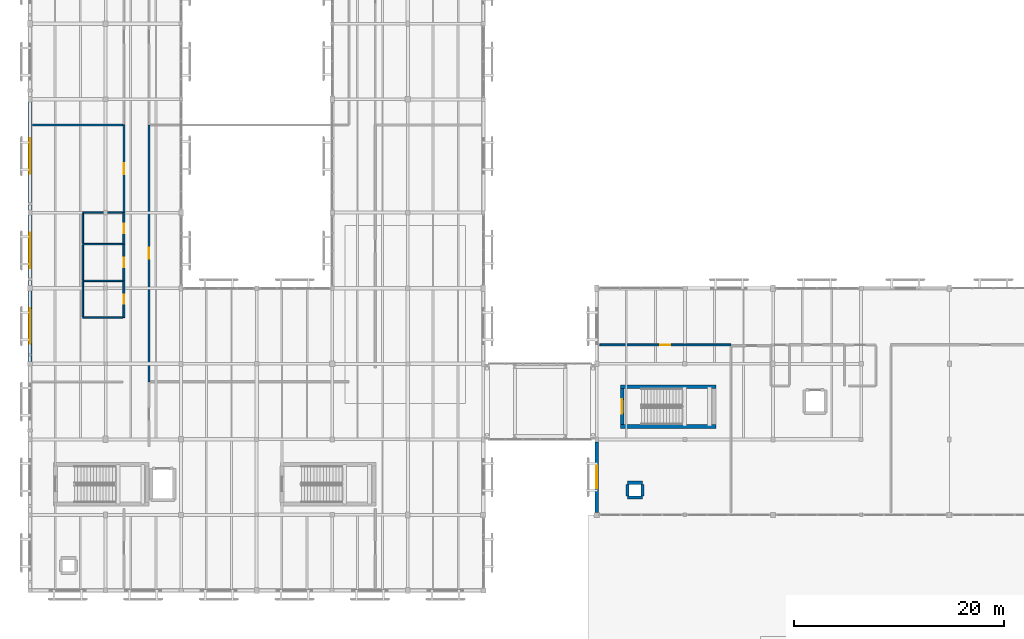
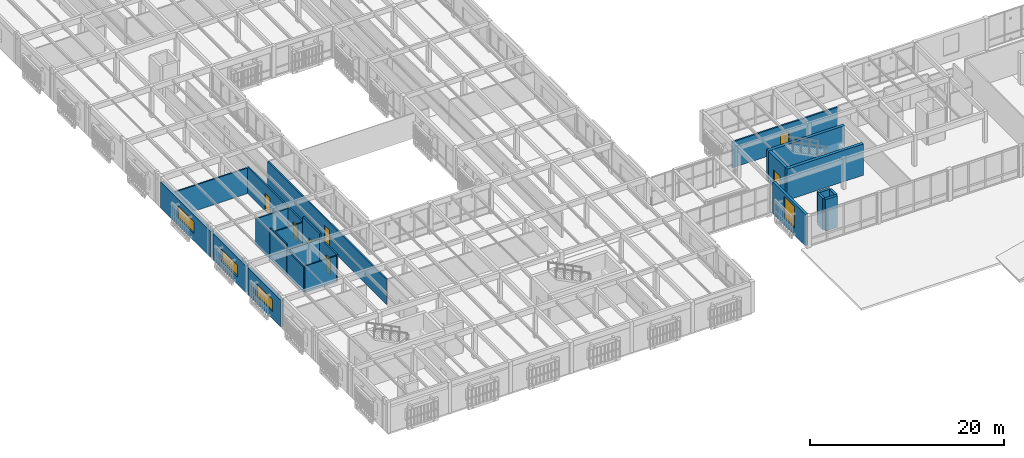
# One storey, part 176 of 217: 25 walls, 7 doors, 4 windows, 11 openings.
"""IFC4 building model written with IfcOpenShell, lengths in metres."""

from ifc_helpers import new_model, si_unit, direction, frame, frame_2d, origin, place, context, subcontext, project, spatial, rectangle, extrude, material, layer, layer_set, type_object, element, fill, save


model = new_model("IFC4")

# Units and contexts
model_context = context("Model", 3, precision=1e-05, world=origin(), true_north=direction((0.0, 1.0)))
body_context = subcontext(model_context, "Body", "Model", "MODEL_VIEW")
ifc_project = project(units=[si_unit("LENGTHUNIT", "METRE"), si_unit("AREAUNIT", "SQUARE_METRE"), si_unit("VOLUMEUNIT", "CUBIC_METRE"), si_unit("PLANEANGLEUNIT", "RADIAN"), si_unit("MASSUNIT", "GRAM", prefix="KILO")], contexts=[model_context])

# Site, building, storey
site_placement = place(None, origin())
site = spatial("IfcSite", under=ifc_project, at=site_placement, CompositionType="ELEMENT")
building_placement = place(site_placement, origin())
building = spatial("IfcBuilding", under=site, at=building_placement, Name="Mazaris Harbour Polytechnic", CompositionType="ELEMENT")
storey_placement = place(building_placement, frame((0.0, 0.0, 9.60009765625)))
storey = spatial("IfcBuildingStorey", under=building, at=storey_placement, Name="L02", CompositionType="ELEMENT", Elevation=9.60009765625)

# Wall, opening, door
ifc_material_1 = material(Name="Terracotta Block and Plaster", Category="masonry")
ifc_layer_1 = layer(ifc_material_1, 0.179931640625, Name="Terracotta Block and Plaster")
ifc_layer_set_1 = layer_set([ifc_layer_1], Name="Terracotta Block and Plaster")
wall_type_1 = type_object("IfcWallType", Name="Corridor Fire Partition 180", PredefinedType="PARTITIONING", material=ifc_layer_set_1)
wall_1_placement = place(storey_placement, frame((54.300048828125, 30.60009765625, 0.0), z_axis=(0.0, 0.0, 1.0), x_axis=(1.0, 0.0, 0.0)))
wall_1 = element("IfcWall", 1, at=wall_1_placement, inside=storey, type_object=wall_type_1, Name="V3 L02 Partition 226", PredefinedType="PARTITIONING", context=body_context, shape_type="SweptSolid", body=[
    extrude(rectangle(XDim=12.489013671875, YDim=0.179931640625, at=frame_2d((6.24462890625, 0.0))), origin(), (0.0, 0.0, 1.0), 3.2548828125),
])
opening_1_placement = place(wall_1_placement, frame((5.764404296875, 0.0, 0.0)))
opening_1 = element("IfcOpeningElement", 2, at=opening_1_placement, cuts=wall_1, Name="Opening ID-01R", PredefinedType="OPENING", context=body_context, shape_type="SweptSolid", body=[
    extrude(rectangle(XDim=0.9599609375, YDim=2.14990234375, at=frame_2d((0.47998046875, 1.074951171875))), frame((0.0, 0.099853515625, 0.0), z_axis=(0.0, -1.0, 0.0), x_axis=(1.0, 0.0, 0.0)), (0.0, 0.0, 1.0), 0.199951171875),
])
ifc_material_2 = material(Name="Solid Oak Timber", Category="wood")
door_type_1 = type_object("IfcDoorType", Name="Classroom Single Door RH 960x2150", OperationType="SINGLE_SWING_RIGHT", PredefinedType="DOOR", material=ifc_material_2)
door_1_placement = place(opening_1_placement, origin())
door_1 = element("IfcDoor", 3, at=door_1_placement, inside=storey, type_object=door_type_1, Name="ID-0103", OperationType="SINGLE_SWING_RIGHT", OverallHeight=2.14990234375, OverallWidth=0.9599609375, PredefinedType="DOOR", context=body_context, shape_type="SweptSolid", body=[
    extrude(rectangle(XDim=0.9599609375, YDim=2.14990234375, at=frame_2d((0.47998046875, 1.074951171875))), frame((0.0, 0.02490234375, 0.0), z_axis=(0.0, -1.0, 0.0), x_axis=(1.0, 0.0, 0.0)), (0.0, 0.0, 1.0), 0.050048828125),
])
fill(opening_1, door_1)

ifc_material_3 = material(Name="Fireboard and Mineral Wool")
ifc_layer_2 = layer(ifc_material_3, 0.1650390625, Name="Fireboard and Mineral Wool")
ifc_layer_set_2 = layer_set([ifc_layer_2], Name="Fireboard and Mineral Wool")
wall_type_2 = type_object("IfcWallType", Name="Laboratory Rated Partition 165", PredefinedType="PARTITIONING", material=ifc_layer_set_2)
wall_2_placement = place(storey_placement, frame((8.949951171875, 43.205078125, 0.0), z_axis=(0.0, 0.0, 1.0), x_axis=(0.0, 1.0, 0.0)))
wall_2 = element("IfcWall", 4, at=wall_2_placement, inside=storey, type_object=wall_type_2, Name="V4 L02 Partition 381", PredefinedType="PARTITIONING", context=body_context, shape_type="SweptSolid", body=[
    extrude(rectangle(XDim=8.347900390625, YDim=0.1650390625, at=frame_2d((4.173828125, 0.0))), origin(), (0.0, 0.0, 1.0), 3.309814453125),
])
opening_2_placement = place(wall_2_placement, frame((3.64892578125, 0.0, 0.0)))
opening_2 = element("IfcOpeningElement", 5, at=opening_2_placement, cuts=wall_2, Name="Opening ID-02L", PredefinedType="OPENING", context=body_context, shape_type="SweptSolid", body=[
    extrude(rectangle(XDim=1.050048828125, YDim=2.199951171875, at=frame_2d((0.52490234375, 1.10009765625))), frame((0.0, 0.092529296875, 0.0), z_axis=(0.0, -1.0, 0.0), x_axis=(1.0, 0.0, 0.0)), (0.0, 0.0, 1.0), 0.18505859375),
])
ifc_material_4 = material(Name="Solid Timber and Vision Panel", Category="wood")
door_type_2 = type_object("IfcDoorType", Name="Laboratory Fire Door LH 1050x2200", OperationType="SINGLE_SWING_LEFT", PredefinedType="DOOR", material=ifc_material_4)
door_2_placement = place(opening_2_placement, origin())
door_2 = element("IfcDoor", 6, at=door_2_placement, inside=storey, type_object=door_type_2, Name="ID-0178", OperationType="SINGLE_SWING_LEFT", OverallHeight=2.199951171875, OverallWidth=1.050048828125, PredefinedType="DOOR", context=body_context, shape_type="SweptSolid", body=[
    extrude(rectangle(XDim=1.050048828125, YDim=2.199951171875, at=frame_2d((0.52490234375, 1.10009765625))), frame((0.0, 0.02490234375, 0.0), z_axis=(0.0, -1.0, 0.0), x_axis=(1.0, 0.0, 0.0)), (0.0, 0.0, 1.0), 0.050048828125),
])
fill(opening_2, door_2)

# Wall
wall_3_placement = place(storey_placement, frame((0.25, 51.552978515625, 0.0), z_axis=(0.0, 0.0, 1.0), x_axis=(1.0, 0.0, 0.0)))
element("IfcWall", 7, at=wall_3_placement, inside=storey, type_object=wall_type_2, Name="V4 L02 Partition 382", PredefinedType="PARTITIONING", context=body_context, shape_type="SweptSolid", body=[
    extrude(rectangle(XDim=8.580078125, YDim=0.1650390625, at=frame_2d((4.2900390625, 0.0))), origin(), (0.0, 0.0, 1.0), 3.2099609375),
])

# Wall, opening, door
wall_4_placement = place(storey_placement, frame((11.35009765625, 27.083984375, 0.0), z_axis=(0.0, 0.0, 1.0), x_axis=(0.0, 1.0, 0.0)))
wall_4 = element("IfcWall", 8, at=wall_4_placement, inside=storey, type_object=wall_type_2, Name="V4 L02 Partition 388", PredefinedType="PARTITIONING", context=body_context, shape_type="SweptSolid", body=[
    extrude(rectangle(XDim=24.468994140625, YDim=0.1650390625, at=frame_2d((12.234375, 0.0))), origin(), (0.0, 0.0, 1.0), 3.14990234375),
])
opening_3_placement = place(wall_4_placement, frame((11.70947265625, 0.0, 0.0)))
opening_3 = element("IfcOpeningElement", 9, at=opening_3_placement, cuts=wall_4, Name="Opening ID-02L", PredefinedType="OPENING", context=body_context, shape_type="SweptSolid", body=[
    extrude(rectangle(XDim=1.050048828125, YDim=2.199951171875, at=frame_2d((0.52490234375, 1.10009765625))), frame((0.0, 0.092529296875, 0.0), z_axis=(0.0, -1.0, 0.0), x_axis=(1.0, 0.0, 0.0)), (0.0, 0.0, 1.0), 0.18505859375),
])
door_3_placement = place(opening_3_placement, origin())
door_3 = element("IfcDoor", 10, at=door_3_placement, inside=storey, type_object=door_type_2, Name="ID-0182", OperationType="SINGLE_SWING_LEFT", OverallHeight=2.199951171875, OverallWidth=1.050048828125, PredefinedType="DOOR", context=body_context, shape_type="SweptSolid", body=[
    extrude(rectangle(XDim=1.050048828125, YDim=2.199951171875, at=frame_2d((0.52490234375, 1.10009765625))), frame((0.0, 0.02490234375, 0.0), z_axis=(0.0, -1.0, 0.0), x_axis=(1.0, 0.0, 0.0)), (0.0, 0.0, 1.0), 0.050048828125),
])
fill(opening_3, door_3)

ifc_material_5 = material(Name="Moisture-Resistant Blockwork", Category="masonry")
ifc_layer_3 = layer(ifc_material_5, 0.175048828125, Name="Moisture-Resistant Blockwork")
ifc_layer_set_3 = layer_set([ifc_layer_3], Name="Moisture-Resistant Blockwork")
wall_type_3 = type_object("IfcWallType", Name="Laboratory Wet Service Wall 175", PredefinedType="PLUMBINGWALL", material=ifc_layer_set_3)
wall_5_placement = place(storey_placement, frame((8.949951171875, 33.199951171875, 0.0), z_axis=(0.0, 0.0, 1.0), x_axis=(0.0, 1.0, 0.0)))
wall_5 = element("IfcWall", 11, at=wall_5_placement, inside=storey, type_object=wall_type_3, Name="V4 L02 Partition 369", PredefinedType="PLUMBINGWALL", context=body_context, shape_type="SweptSolid", body=[
    extrude(rectangle(XDim=3.5, YDim=0.175048828125, at=frame_2d((1.75, 0.0))), origin(), (0.0, 0.0, 1.0), 3.369873046875),
])
opening_4_placement = place(wall_5_placement, frame((1.300048828125, 0.0, 0.0)))
opening_4 = element("IfcOpeningElement", 12, at=opening_4_placement, cuts=wall_5, Name="Opening ID-07R", PredefinedType="OPENING", context=body_context, shape_type="SweptSolid", body=[
    extrude(rectangle(XDim=0.89990234375, YDim=2.10009765625, at=frame_2d((0.449951171875, 1.050048828125))), frame((0.0, 0.097412109375, 0.0), z_axis=(0.0, -1.0, 0.0), x_axis=(1.0, 0.0, 0.0)), (0.0, 0.0, 1.0), 0.195068359375),
])
ifc_material_6 = material(Name="Moisture-Resistant Laminate Timber", Category="wood")
door_type_3 = type_object("IfcDoorType", Name="Sanitary Room Door RH 900x2100", OperationType="SINGLE_SWING_RIGHT", PredefinedType="DOOR", material=ifc_material_6)
door_4_placement = place(opening_4_placement, origin())
door_4 = element("IfcDoor", 13, at=door_4_placement, inside=storey, type_object=door_type_3, Name="ID-0174", OperationType="SINGLE_SWING_RIGHT", OverallHeight=2.10009765625, OverallWidth=0.89990234375, PredefinedType="DOOR", context=body_context, shape_type="SweptSolid", body=[
    extrude(rectangle(XDim=0.89990234375, YDim=2.10009765625, at=frame_2d((0.449951171875, 1.050048828125))), frame((0.0, 0.02490234375, 0.0), z_axis=(0.0, -1.0, 0.0), x_axis=(1.0, 0.0, 0.0)), (0.0, 0.0, 1.0), 0.050048828125),
])
fill(opening_4, door_4)

wall_6_placement = place(storey_placement, frame((8.949951171875, 36.705078125, 0.0), z_axis=(0.0, 0.0, 1.0), x_axis=(0.0, 1.0, 0.0)))
wall_6 = element("IfcWall", 14, at=wall_6_placement, inside=storey, type_object=wall_type_3, Name="V4 L02 Partition 373", PredefinedType="PLUMBINGWALL", context=body_context, shape_type="SweptSolid", body=[
    extrude(rectangle(XDim=3.494873046875, YDim=0.175048828125, at=frame_2d((1.74755859375, 0.0))), origin(), (0.0, 0.0, 1.0), 3.889892578125),
])
opening_5_placement = place(wall_6_placement, frame((1.297607421875, 0.0, 0.0)))
opening_5 = element("IfcOpeningElement", 15, at=opening_5_placement, cuts=wall_6, Name="Opening ID-07R", PredefinedType="OPENING", context=body_context, shape_type="SweptSolid", body=[
    extrude(rectangle(XDim=0.89990234375, YDim=2.10009765625, at=frame_2d((0.449951171875, 1.050048828125))), frame((0.0, 0.097412109375, 0.0), z_axis=(0.0, -1.0, 0.0), x_axis=(1.0, 0.0, 0.0)), (0.0, 0.0, 1.0), 0.195068359375),
])
door_5_placement = place(opening_5_placement, origin())
door_5 = element("IfcDoor", 16, at=door_5_placement, inside=storey, type_object=door_type_3, Name="ID-0175", OperationType="SINGLE_SWING_RIGHT", OverallHeight=2.10009765625, OverallWidth=0.89990234375, PredefinedType="DOOR", context=body_context, shape_type="SweptSolid", body=[
    extrude(rectangle(XDim=0.89990234375, YDim=2.10009765625, at=frame_2d((0.449951171875, 1.050048828125))), frame((0.0, 0.02490234375, 0.0), z_axis=(0.0, -1.0, 0.0), x_axis=(1.0, 0.0, 0.0)), (0.0, 0.0, 1.0), 0.050048828125),
])
fill(opening_5, door_5)

wall_7_placement = place(storey_placement, frame((8.949951171875, 40.205078125, 0.0), z_axis=(0.0, 0.0, 1.0), x_axis=(0.0, 1.0, 0.0)))
wall_7 = element("IfcWall", 17, at=wall_7_placement, inside=storey, type_object=wall_type_3, Name="V4 L02 Partition 376", PredefinedType="PLUMBINGWALL", context=body_context, shape_type="SweptSolid", body=[
    extrude(rectangle(XDim=2.994873046875, YDim=0.175048828125, at=frame_2d((1.49755859375, 0.0))), origin(), (0.0, 0.0, 1.0), 3.309814453125),
])
opening_6_placement = place(wall_7_placement, frame((1.03759765625, 0.0, 0.0)))
opening_6 = element("IfcOpeningElement", 18, at=opening_6_placement, cuts=wall_7, Name="Opening ID-07L", PredefinedType="OPENING", context=body_context, shape_type="SweptSolid", body=[
    extrude(rectangle(XDim=0.919921875, YDim=2.10009765625, at=frame_2d((0.4599609375, 1.050048828125))), frame((0.0, 0.097412109375, 0.0), z_axis=(0.0, -1.0, 0.0), x_axis=(1.0, 0.0, 0.0)), (0.0, 0.0, 1.0), 0.195068359375),
])
ifc_material_7 = material(Name="Moisture-Resistant Laminate Timber", Category="wood")
door_type_4 = type_object("IfcDoorType", Name="Accessible Toilet Door LH 920x2100", OperationType="SINGLE_SWING_LEFT", PredefinedType="DOOR", material=ifc_material_7)
door_6_placement = place(opening_6_placement, origin())
door_6 = element("IfcDoor", 19, at=door_6_placement, inside=storey, type_object=door_type_4, Name="ID-0176", OperationType="SINGLE_SWING_LEFT", OverallHeight=2.10009765625, OverallWidth=0.919921875, PredefinedType="DOOR", context=body_context, shape_type="SweptSolid", body=[
    extrude(rectangle(XDim=0.919921875, YDim=2.10009765625, at=frame_2d((0.4599609375, 1.050048828125))), frame((0.0, 0.02490234375, 0.0), z_axis=(0.0, -1.0, 0.0), x_axis=(1.0, 0.0, 0.0)), (0.0, 0.0, 1.0), 0.050048828125),
])
fill(opening_6, door_6)

# Wall, opening, window
ifc_material_8 = material(Name="Algerian Buff Limestone and Concrete C30/37", Category="masonry")
ifc_layer_4 = layer(ifc_material_8, 0.360107421875, Name="Algerian Buff Limestone and Concrete C30/37")
ifc_layer_set_4 = layer_set([ifc_layer_4], Name="Algerian Buff Limestone and Concrete C30/37")
wall_type_4 = type_object("IfcWallType", Name="Limestone Ashlar Exterior Wall 360", PredefinedType="STANDARD", material=ifc_layer_set_4)
wall_8_placement = place(storey_placement, frame((0.0, 29.02197265625, 0.0), z_axis=(0.0, 0.0, 1.0), x_axis=(0.0, 1.0, 0.0)))
wall_8 = element("IfcWall", 20, at=wall_8_placement, inside=storey, type_object=wall_type_4, Name="V4 L02 Exterior Wall 202", PredefinedType="STANDARD", context=body_context, shape_type="SweptSolid", body=[
    extrude(rectangle(XDim=6.736083984375, YDim=0.360107421875, at=frame_2d((3.3681640625, 0.0))), origin(), (0.0, 0.0, 1.0), 3.369873046875),
])
opening_7_placement = place(wall_8_placement, frame((1.66796875, 0.0, 0.89990234375)))
opening_7 = element("IfcOpeningElement", 21, at=opening_7_placement, cuts=wall_8, Name="Opening WN-16", PredefinedType="OPENING", context=body_context, shape_type="SweptSolid", body=[
    extrude(rectangle(XDim=3.39990234375, YDim=1.5, at=frame_2d((1.699951171875, 0.75))), frame((0.0, 0.18994140625, 0.0), z_axis=(0.0, -1.0, 0.0), x_axis=(1.0, 0.0, 0.0)), (0.0, 0.0, 1.0), 0.380126953125),
])
ifc_material_9 = material(Name="Thermally Broken Bronze Aluminium and Low-E Glass", Category="aluminium")
window_type_1 = type_object("IfcWindowType", Name="Workshop Clerestory Ribbon 3400x1500", PartitioningType="DOUBLE_PANEL_VERTICAL", PredefinedType="WINDOW", material=ifc_material_9)
window_1_placement = place(opening_7_placement, origin())
window_1 = element("IfcWindow", 22, at=window_1_placement, inside=storey, type_object=window_type_1, Name="WN-0204", OverallHeight=1.5, OverallWidth=3.39990234375, PartitioningType="DOUBLE_PANEL_VERTICAL", PredefinedType="WINDOW", context=body_context, shape_type="SweptSolid", body=[
    extrude(rectangle(XDim=3.39990234375, YDim=1.5, at=frame_2d((1.699951171875, 0.75))), frame((0.0, 0.030029296875, 0.0), z_axis=(0.0, -1.0, 0.0), x_axis=(1.0, 0.0, 0.0)), (0.0, 0.0, 1.0), 0.06005859375),
])
fill(opening_7, window_1)

wall_9_placement = place(storey_placement, frame((0.0, 36.241943359375, 0.0), z_axis=(0.0, 0.0, 1.0), x_axis=(0.0, 1.0, 0.0)))
wall_9 = element("IfcWall", 23, at=wall_9_placement, inside=storey, type_object=wall_type_4, Name="V4 L02 Exterior Wall 203", PredefinedType="STANDARD", context=body_context, shape_type="SweptSolid", body=[
    extrude(rectangle(XDim=6.72607421875, YDim=0.360107421875, at=frame_2d((3.363037109375, 0.0))), origin(), (0.0, 0.0, 1.0), 3.309814453125),
])
opening_8_placement = place(wall_9_placement, frame((1.6630859375, 0.0, 0.89990234375)))
opening_8 = element("IfcOpeningElement", 24, at=opening_8_placement, cuts=wall_9, Name="Opening WN-16", PredefinedType="OPENING", context=body_context, shape_type="SweptSolid", body=[
    extrude(rectangle(XDim=3.39990234375, YDim=1.5, at=frame_2d((1.699951171875, 0.75))), frame((0.0, 0.18994140625, 0.0), z_axis=(0.0, -1.0, 0.0), x_axis=(1.0, 0.0, 0.0)), (0.0, 0.0, 1.0), 0.380126953125),
])
window_2_placement = place(opening_8_placement, origin())
window_2 = element("IfcWindow", 25, at=window_2_placement, inside=storey, type_object=window_type_1, Name="WN-0205", OverallHeight=1.5, OverallWidth=3.39990234375, PartitioningType="DOUBLE_PANEL_VERTICAL", PredefinedType="WINDOW", context=body_context, shape_type="SweptSolid", body=[
    extrude(rectangle(XDim=3.39990234375, YDim=1.5, at=frame_2d((1.699951171875, 0.75))), frame((0.0, 0.030029296875, 0.0), z_axis=(0.0, -1.0, 0.0), x_axis=(1.0, 0.0, 0.0)), (0.0, 0.0, 1.0), 0.06005859375),
])
fill(opening_8, window_2)

wall_10_placement = place(storey_placement, frame((0.0, 43.431884765625, 0.0), z_axis=(0.0, 0.0, 1.0), x_axis=(0.0, 1.0, 0.0)))
wall_10 = element("IfcWall", 26, at=wall_10_placement, inside=storey, type_object=wall_type_4, Name="V4 L02 Exterior Wall 204", PredefinedType="STANDARD", context=body_context, shape_type="SweptSolid", body=[
    extrude(rectangle(XDim=10.30615234375, YDim=0.360107421875, at=frame_2d((5.153076171875, 0.0))), origin(), (0.0, 0.0, 1.0), 3.25),
])
opening_9_placement = place(wall_10_placement, frame((3.452880859375, 0.0, 0.89990234375)))
opening_9 = element("IfcOpeningElement", 27, at=opening_9_placement, cuts=wall_10, Name="Opening WN-16", PredefinedType="OPENING", context=body_context, shape_type="SweptSolid", body=[
    extrude(rectangle(XDim=3.39990234375, YDim=1.5, at=frame_2d((1.699951171875, 0.75))), frame((0.0, 0.18994140625, 0.0), z_axis=(0.0, -1.0, 0.0), x_axis=(1.0, 0.0, 0.0)), (0.0, 0.0, 1.0), 0.380126953125),
])
window_3_placement = place(opening_9_placement, origin())
window_3 = element("IfcWindow", 28, at=window_3_placement, inside=storey, type_object=window_type_1, Name="WN-0206", OverallHeight=1.5, OverallWidth=3.39990234375, PartitioningType="DOUBLE_PANEL_VERTICAL", PredefinedType="WINDOW", context=body_context, shape_type="SweptSolid", body=[
    extrude(rectangle(XDim=3.39990234375, YDim=1.5, at=frame_2d((1.699951171875, 0.75))), frame((0.0, 0.030029296875, 0.0), z_axis=(0.0, -1.0, 0.0), x_axis=(1.0, 0.0, 0.0)), (0.0, 0.0, 1.0), 0.06005859375),
])
fill(opening_9, window_3)

ifc_material_10 = material(Name="Algerian Buff Limestone and Mineral Wool", Category="masonry")
ifc_layer_5 = layer(ifc_material_10, 0.330078125, Name="Algerian Buff Limestone and Mineral Wool")
ifc_layer_set_5 = layer_set([ifc_layer_5], Name="Algerian Buff Limestone and Mineral Wool")
wall_type_5 = type_object("IfcWallType", Name="Limestone Cavity Wall 330", PredefinedType="STANDARD", material=ifc_layer_set_5)
wall_11_placement = place(storey_placement, frame((54.0, 14.64208984375, 0.0), z_axis=(0.0, 0.0, 1.0), x_axis=(0.0, 1.0, 0.0)))
wall_11 = element("IfcWall", 29, at=wall_11_placement, inside=storey, type_object=wall_type_5, Name="V3 L02 Exterior Wall 120", PredefinedType="STANDARD", context=body_context, shape_type="SweptSolid", body=[
    extrude(rectangle(XDim=6.725830078125, YDim=0.330078125, at=frame_2d((3.36279296875, 0.0))), origin(), (0.0, 0.0, 1.0), 3.934814453125),
])
opening_10_placement = place(wall_11_placement, frame((2.2880859375, 0.0, 0.85009765625)))
opening_10 = element("IfcOpeningElement", 30, at=opening_10_placement, cuts=wall_11, Name="Opening WN-23", PredefinedType="OPENING", context=body_context, shape_type="SweptSolid", body=[
    extrude(rectangle(XDim=2.14990234375, YDim=2.699951171875, at=frame_2d((1.074951171875, 1.35009765625))), frame((0.0, 0.175048828125, 0.0), z_axis=(0.0, -1.0, 0.0), x_axis=(1.0, 0.0, 0.0)), (0.0, 0.0, 1.0), 0.35009765625),
])
ifc_material_11 = material(Name="Thermally Broken Bronze Aluminium and Low-E Glass", Category="aluminium")
window_type_2 = type_object("IfcWindowType", Name="Harbour Promenade Window 2150x2700", PartitioningType="DOUBLE_PANEL_VERTICAL", PredefinedType="WINDOW", material=ifc_material_11)
window_4_placement = place(opening_10_placement, origin())
window_4 = element("IfcWindow", 31, at=window_4_placement, inside=storey, type_object=window_type_2, Name="WN-0127", OverallHeight=2.699951171875, OverallWidth=2.14990234375, PartitioningType="DOUBLE_PANEL_VERTICAL", PredefinedType="WINDOW", context=body_context, shape_type="SweptSolid", body=[
    extrude(rectangle(XDim=2.14990234375, YDim=2.699951171875, at=frame_2d((1.074951171875, 1.35009765625))), frame((0.0, 0.030029296875, 0.0), z_axis=(0.0, -1.0, 0.0), x_axis=(1.0, 0.0, 0.0)), (0.0, 0.0, 1.0), 0.06005859375),
])
fill(opening_10, window_4)

# Walls
ifc_material_12 = material(Name="Concrete C40/50", Category="concrete")
ifc_layer_6 = layer(ifc_material_12, 0.35009765625, Name="Concrete C40/50")
ifc_layer_set_6 = layer_set([ifc_layer_6], Name="Concrete C40/50")
wall_type_6 = type_object("IfcWallType", Name="RC Core Shear Wall 350", PredefinedType="SHEAR", material=ifc_layer_set_6)
for number, where, z_axis, x_axis, name in (
    (32, (56.25, 22.824951171875, 0.0), (0.0, 0.0, 1.0), (1.0, 0.0, 0.0), "Core ST05 L02 Shear Wall S"),
    (33, (65.35009765625, 26.625, 0.0), (0.0, 0.0, 1.0), (-1.0, 0.0, 0.0), "Core ST05 L02 Shear Wall N"),
):
    element("IfcWall", number, at=place(storey_placement, frame(where, z_axis=z_axis, x_axis=x_axis)), inside=storey, type_object=wall_type_6, Name=name, PredefinedType="SHEAR", context=body_context, shape_type="SweptSolid", body=[
        extrude(rectangle(XDim=9.10009765625, YDim=0.35009765625, at=frame_2d((4.550048828125, 0.0))), origin(), (0.0, 0.0, 1.0), 3.934814453125),
    ])

# Wall, opening, door
wall_12_placement = place(storey_placement, frame((56.425048828125, 26.449951171875, 0.0), z_axis=(0.0, 0.0, 1.0), x_axis=(0.0, -1.0, 0.0)))
wall_12 = element("IfcWall", 34, at=wall_12_placement, inside=storey, type_object=wall_type_6, Name="Core ST05 L02 Entrance Shear Wall", PredefinedType="SHEAR", context=body_context, shape_type="SweptSolid", body=[
    extrude(rectangle(XDim=3.449951171875, YDim=0.35009765625, at=frame_2d((1.72509765625, 0.0))), origin(), (0.0, 0.0, 1.0), 3.934814453125),
])
opening_11_placement = place(wall_12_placement, frame((1.034912109375, 0.0, 0.0)))
opening_11 = element("IfcOpeningElement", 35, at=opening_11_placement, cuts=wall_12, Name="Opening SD-01", PredefinedType="OPENING", context=body_context, shape_type="SweptSolid", body=[
    extrude(rectangle(XDim=1.3798828125, YDim=2.199951171875, at=frame_2d((0.68994140625, 1.10009765625))), frame((0.0, 0.18505859375, 0.0), z_axis=(0.0, -1.0, 0.0), x_axis=(1.0, 0.0, 0.0)), (0.0, 0.0, 1.0), 0.3701171875),
])
ifc_material_13 = material(Name="Glulam Timber and Fire Glass", Category="wood")
door_type_5 = type_object("IfcDoorType", Name="Protected Stair Lobby Fire Door 1380x2200", OperationType="DOUBLE_DOOR_SINGLE_SWING", PredefinedType="DOOR", material=ifc_material_13)
door_7_placement = place(opening_11_placement, origin())
door_7 = element("IfcDoor", 36, at=door_7_placement, inside=storey, type_object=door_type_5, Name="SD-022", OperationType="DOUBLE_DOOR_SINGLE_SWING", OverallHeight=2.199951171875, OverallWidth=1.3798828125, PredefinedType="DOOR", context=body_context, shape_type="SweptSolid", body=[
    extrude(rectangle(XDim=1.3798828125, YDim=2.199951171875, at=frame_2d((0.68994140625, 1.10009765625))), frame((0.0, 0.02490234375, 0.0), z_axis=(0.0, -1.0, 0.0), x_axis=(1.0, 0.0, 0.0)), (0.0, 0.0, 1.0), 0.050048828125),
])
fill(opening_11, door_7)

# Walls
ifc_material_14 = material(Name="Concrete C40/50", Category="concrete")
ifc_layer_7 = layer(ifc_material_14, 0.300048828125, Name="Concrete C40/50")
ifc_layer_set_7 = layer_set([ifc_layer_7], Name="Concrete C40/50")
wall_type_7 = type_object("IfcWallType", Name="RC Lift Shaft Wall 300", PredefinedType="SHEAR", material=ifc_layer_set_7)
wall_13_placement = place(storey_placement, frame((56.949951171875, 16.050048828125, 0.0), z_axis=(0.0, 0.0, 1.0), x_axis=(1.0, 0.0, 0.0)))
element("IfcWall", 37, at=wall_13_placement, inside=storey, type_object=wall_type_7, Name="V3 L02 Riser Enclosure Wall 1-1", PredefinedType="SHEAR", context=body_context, shape_type="SweptSolid", body=[
    extrude(rectangle(XDim=1.420166015625, YDim=0.300048828125, at=frame_2d((0.7099609375, 0.0))), origin(), (0.0, 0.0, 1.0), 3.9599609375),
])
wall_14_placement = place(storey_placement, frame((58.3701171875, 16.2099609375, 0.0), z_axis=(0.0, 0.0, 1.0), x_axis=(0.0, 1.0, 0.0)))
element("IfcWall", 38, at=wall_14_placement, inside=storey, type_object=wall_type_7, Name="V3 L02 Riser Enclosure Wall 1-2", PredefinedType="SHEAR", context=body_context, shape_type="SweptSolid", body=[
    extrude(rectangle(XDim=1.10009765625, YDim=0.300048828125, at=frame_2d((0.550048828125, 0.0))), origin(), (0.0, 0.0, 1.0), 3.9599609375),
])
wall_15_placement = place(storey_placement, frame((58.3701171875, 17.469970703125, 0.0), z_axis=(0.0, 0.0, 1.0), x_axis=(-1.0, 0.0, 0.0)))
element("IfcWall", 39, at=wall_15_placement, inside=storey, type_object=wall_type_7, Name="V3 L02 Riser Enclosure Wall 1-3", PredefinedType="SHEAR", context=body_context, shape_type="SweptSolid", body=[
    extrude(rectangle(XDim=1.420166015625, YDim=0.300048828125, at=frame_2d((0.7099609375, 0.0))), origin(), (0.0, 0.0, 1.0), 3.9599609375),
])
wall_16_placement = place(storey_placement, frame((56.949951171875, 17.31005859375, 0.0), z_axis=(0.0, 0.0, 1.0), x_axis=(0.0, -1.0, 0.0)))
element("IfcWall", 40, at=wall_16_placement, inside=storey, type_object=wall_type_7, Name="V3 L02 Riser Enclosure Wall 1-4", PredefinedType="SHEAR", context=body_context, shape_type="SweptSolid", body=[
    extrude(rectangle(XDim=1.10009765625, YDim=0.300048828125, at=frame_2d((0.550048828125, 0.0))), origin(), (0.0, 0.0, 1.0), 3.9599609375),
])
ifc_material_15 = material(Name="Moisture-Resistant Gypsum and Steel Stud", Category="steel")
ifc_layer_8 = layer(ifc_material_15, 0.14501953125, Name="Moisture-Resistant Gypsum and Steel Stud")
ifc_layer_set_8 = layer_set([ifc_layer_8], Name="Moisture-Resistant Gypsum and Steel Stud")
wall_type_8 = type_object("IfcWallType", Name="Sanitary Plumbing Wall 145", PredefinedType="PLUMBINGWALL", material=ifc_layer_set_8)
wall_17_placement = place(storey_placement, frame((5.050048828125, 33.199951171875, 0.0), z_axis=(0.0, 0.0, 1.0), x_axis=(1.0, 0.0, 0.0)))
element("IfcWall", 41, at=wall_17_placement, inside=storey, type_object=wall_type_8, Name="V4 L02 Partition 370", PredefinedType="PLUMBINGWALL", context=body_context, shape_type="SweptSolid", body=[
    extrude(rectangle(XDim=3.780029296875, YDim=0.14501953125, at=frame_2d((1.89013671875, 0.0))), origin(), (0.0, 0.0, 1.0), 3.309814453125),
])
wall_18_placement = place(storey_placement, frame((5.050048828125, 36.699951171875, 0.0), z_axis=(0.0, 0.0, 1.0), x_axis=(1.0, 0.0, 0.0)))
element("IfcWall", 42, at=wall_18_placement, inside=storey, type_object=wall_type_8, Name="V4 L02 Partition 371", PredefinedType="PLUMBINGWALL", context=body_context, shape_type="SweptSolid", body=[
    extrude(rectangle(XDim=3.780029296875, YDim=0.14501953125, at=frame_2d((1.89013671875, 0.0))), origin(), (0.0, 0.0, 1.0), 3.25),
])
wall_19_placement = place(storey_placement, frame((5.050048828125, 33.282470703125, 0.0), z_axis=(0.0, 0.0, 1.0), x_axis=(0.0, 1.0, 0.0)))
element("IfcWall", 43, at=wall_19_placement, inside=storey, type_object=wall_type_8, Name="V4 L02 Partition 372", PredefinedType="PLUMBINGWALL", context=body_context, shape_type="SweptSolid", body=[
    extrude(rectangle(XDim=3.3349609375, YDim=0.14501953125, at=frame_2d((1.66748046875, 0.0))), origin(), (0.0, 0.0, 1.0), 3.14990234375),
])
wall_20_placement = place(storey_placement, frame((5.050048828125, 40.199951171875, 0.0), z_axis=(0.0, 0.0, 1.0), x_axis=(1.0, 0.0, 0.0)))
element("IfcWall", 44, at=wall_20_placement, inside=storey, type_object=wall_type_8, Name="V4 L02 Partition 374", PredefinedType="PLUMBINGWALL", context=body_context, shape_type="SweptSolid", body=[
    extrude(rectangle(XDim=3.780029296875, YDim=0.14501953125, at=frame_2d((1.89013671875, 0.0))), origin(), (0.0, 0.0, 1.0), 3.25),
])
wall_21_placement = place(storey_placement, frame((5.050048828125, 36.782470703125, 0.0), z_axis=(0.0, 0.0, 1.0), x_axis=(0.0, 1.0, 0.0)))
element("IfcWall", 45, at=wall_21_placement, inside=storey, type_object=wall_type_8, Name="V4 L02 Partition 375", PredefinedType="PLUMBINGWALL", context=body_context, shape_type="SweptSolid", body=[
    extrude(rectangle(XDim=3.3349609375, YDim=0.14501953125, at=frame_2d((1.66748046875, 0.0))), origin(), (0.0, 0.0, 1.0), 3.889892578125),
])
wall_22_placement = place(storey_placement, frame((5.050048828125, 43.199951171875, 0.0), z_axis=(0.0, 0.0, 1.0), x_axis=(1.0, 0.0, 0.0)))
element("IfcWall", 46, at=wall_22_placement, inside=storey, type_object=wall_type_8, Name="V4 L02 Partition 377", PredefinedType="PLUMBINGWALL", context=body_context, shape_type="SweptSolid", body=[
    extrude(rectangle(XDim=3.780029296875, YDim=0.14501953125, at=frame_2d((1.89013671875, 0.0))), origin(), (0.0, 0.0, 1.0), 3.2099609375),
])
wall_23_placement = place(storey_placement, frame((5.050048828125, 40.282470703125, 0.0), z_axis=(0.0, 0.0, 1.0), x_axis=(0.0, 1.0, 0.0)))
element("IfcWall", 47, at=wall_23_placement, inside=storey, type_object=wall_type_8, Name="V4 L02 Partition 378", PredefinedType="PLUMBINGWALL", context=body_context, shape_type="SweptSolid", body=[
    extrude(rectangle(XDim=2.8349609375, YDim=0.14501953125, at=frame_2d((1.41748046875, 0.0))), origin(), (0.0, 0.0, 1.0), 3.369873046875),
])

save(model, "model.ifc")
